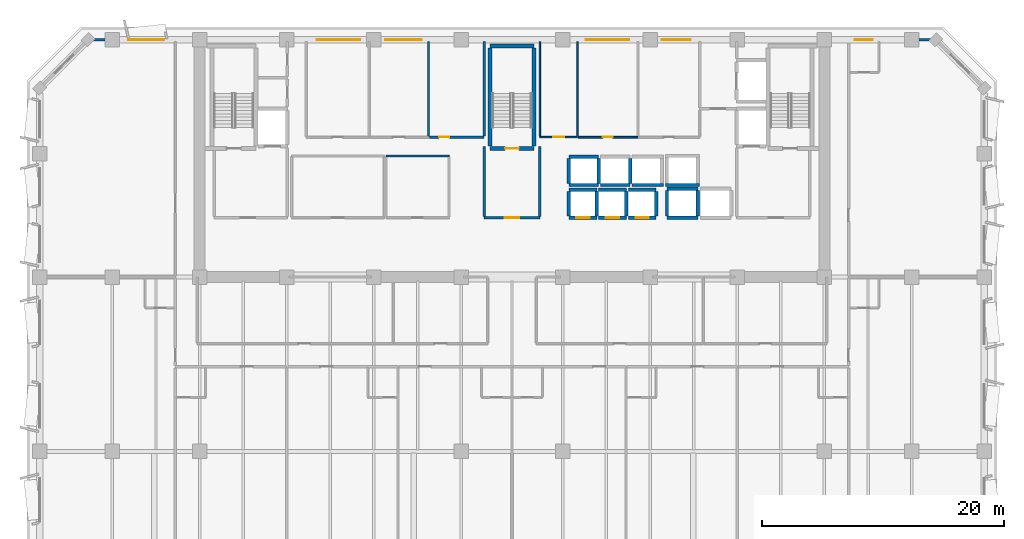
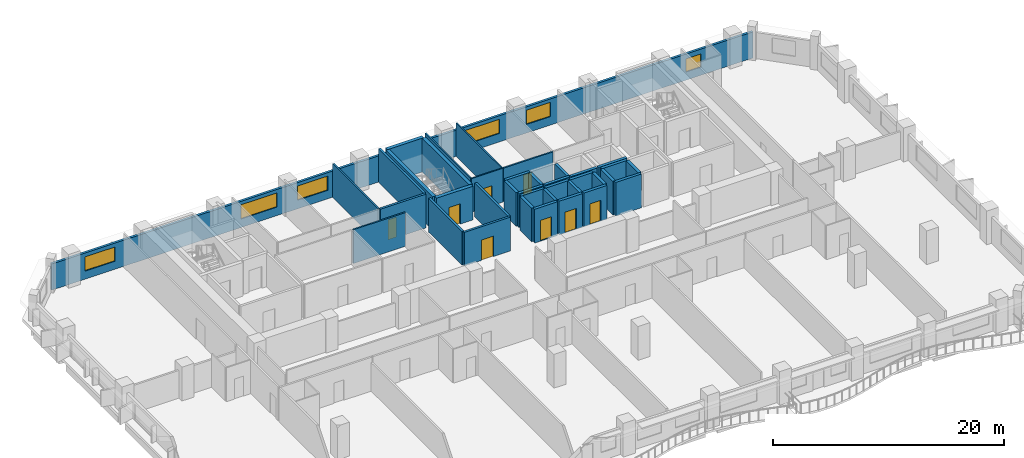
# One storey, part 7 of 14: 38 walls, 8 doors, 6 windows, 14 openings.
"""IFC4 building model written with IfcOpenShell, lengths in metres."""

from ifc_helpers import new_model, si_unit, direction, frame, frame_2d, origin, place, context, subcontext, project, spatial, rectangle, extrude, material, layer, layer_set, type_object, element, fill, save


model = new_model("IFC4")

# Units and contexts
model_context = context("Model", 3, precision=1e-05, world=origin(), true_north=direction((0.0, 1.0)))
body_context = subcontext(model_context, "Body", "Model", "MODEL_VIEW")
ifc_project = project(units=[si_unit("LENGTHUNIT", "METRE"), si_unit("AREAUNIT", "SQUARE_METRE"), si_unit("VOLUMEUNIT", "CUBIC_METRE"), si_unit("PLANEANGLEUNIT", "RADIAN"), si_unit("MASSUNIT", "GRAM", prefix="KILO")], contexts=[model_context])

# Site, building, storey
site_placement = place(None, origin())
site = spatial("IfcSite", under=ifc_project, at=site_placement, CompositionType="ELEMENT")
building_placement = place(site_placement, origin())
building = spatial("IfcBuilding", under=site, at=building_placement, Name="Kaelvorn Grand Hotel", CompositionType="ELEMENT")
storey_placement = place(building_placement, frame((0.0, 0.0, 190.14990234375)))
storey = spatial("IfcBuildingStorey", under=building, at=storey_placement, Name="L46", CompositionType="ELEMENT", Elevation=190.14990234375)

# Wall, openings, windows
ifc_material_1 = material(Name="Concrete C40/50", Category="concrete")
ifc_layer_1 = layer(ifc_material_1, 0.239990234375)
ifc_layer_set_1 = layer_set([ifc_layer_1], Name="Concrete C40/50")
wall_type_1 = type_object("IfcWallType", Name="WL-EXT-240-C40", PredefinedType="SOLIDWALL", material=ifc_layer_set_1)
wall_1_placement = place(storey_placement, frame((77.0, 49.0, 0.0), z_axis=(0.0, 0.0, 1.0), x_axis=(-1.0, 0.0, 0.0)))
wall_1 = element("IfcWall", 1, at=wall_1_placement, inside=storey, type_object=wall_type_1, Name="L46 Exterior Architectural Concrete Wall 05", PredefinedType="SOLIDWALL", context=body_context, shape_type="SweptSolid", body=[
    extrude(rectangle(XDim=70.0, YDim=0.239990234375, at=frame_2d((35.0, 0.0))), origin(), (0.0, 0.0, 1.0), 2.760009765625),
])
opening_1_placement = place(wall_1_placement, frame((63.699951171875, 0.0, 0.85009765625)))
opening_1 = element("IfcOpeningElement", 2, at=opening_1_placement, cuts=wall_1, Name="Opening W5", PredefinedType="OPENING", context=body_context, shape_type="SweptSolid", body=[
    extrude(rectangle(XDim=3.0, YDim=1.5, at=frame_2d((1.5, 0.75))), frame((0.0, 0.1298828125, 0.0), z_axis=(0.0, -1.0, 0.0), x_axis=(1.0, 0.0, 0.0)), (0.0, 0.0, 1.0), 0.260009765625),
])
opening_2_placement = place(wall_1_placement, frame((5.199951171875, 0.0, 0.85009765625)))
opening_2 = element("IfcOpeningElement", 3, at=opening_2_placement, cuts=wall_1, Name="Opening W10", PredefinedType="OPENING", context=body_context, shape_type="SweptSolid", body=[
    extrude(rectangle(XDim=1.5, YDim=1.39990234375, at=frame_2d((0.75, 0.699951171875))), frame((0.0, 0.1298828125, 0.0), z_axis=(0.0, -1.0, 0.0), x_axis=(1.0, 0.0, 0.0)), (0.0, 0.0, 1.0), 0.260009765625),
])
opening_3_placement = place(wall_1_placement, frame((47.514892578125, 0.0, 0.89990234375)))
opening_3 = element("IfcOpeningElement", 4, at=opening_3_placement, cuts=wall_1, Name="Opening W3", PredefinedType="OPENING", context=body_context, shape_type="SweptSolid", body=[
    extrude(rectangle(XDim=3.60009765625, YDim=1.5, at=frame_2d((1.800048828125, 0.75))), frame((0.0, 0.1298828125, 0.0), z_axis=(0.0, -1.0, 0.0), x_axis=(1.0, 0.0, 0.0)), (0.0, 0.0, 1.0), 0.260009765625),
])
opening_4_placement = place(wall_1_placement, frame((42.449951171875, 0.0, 0.89990234375)))
opening_4 = element("IfcOpeningElement", 5, at=opening_4_placement, cuts=wall_1, Name="Opening W5", PredefinedType="OPENING", context=body_context, shape_type="SweptSolid", body=[
    extrude(rectangle(XDim=3.0, YDim=1.5, at=frame_2d((1.5, 0.75))), frame((0.0, 0.1298828125, 0.0), z_axis=(0.0, -1.0, 0.0), x_axis=(1.0, 0.0, 0.0)), (0.0, 0.0, 1.0), 0.260009765625),
])
opening_5_placement = place(wall_1_placement, frame((25.300048828125, 0.0, 0.89990234375)))
opening_5 = element("IfcOpeningElement", 6, at=opening_5_placement, cuts=wall_1, Name="Opening W3", PredefinedType="OPENING", context=body_context, shape_type="SweptSolid", body=[
    extrude(rectangle(XDim=3.60009765625, YDim=1.5, at=frame_2d((1.800048828125, 0.75))), frame((0.0, 0.1298828125, 0.0), z_axis=(0.0, -1.0, 0.0), x_axis=(1.0, 0.0, 0.0)), (0.0, 0.0, 1.0), 0.260009765625),
])
opening_6_placement = place(wall_1_placement, frame((20.235107421875, 0.0, 0.89990234375)))
opening_6 = element("IfcOpeningElement", 7, at=opening_6_placement, cuts=wall_1, Name="Opening W6", PredefinedType="OPENING", context=body_context, shape_type="SweptSolid", body=[
    extrude(rectangle(XDim=2.39990234375, YDim=1.5, at=frame_2d((1.199951171875, 0.75))), frame((0.0, 0.1298828125, 0.0), z_axis=(0.0, -1.0, 0.0), x_axis=(1.0, 0.0, 0.0)), (0.0, 0.0, 1.0), 0.260009765625),
])
ifc_material_2 = material(Name="Laminated Low-E Glass", Category="glass")
window_type_1 = type_object("IfcWindowType", Name="WIN-COR-1500x1400", PartitioningType="SINGLE_PANEL", PredefinedType="WINDOW", material=ifc_material_2)
window_1_placement = place(opening_2_placement, origin())
window_1 = element("IfcWindow", 8, at=window_1_placement, inside=storey, type_object=window_type_1, Name="L46 North Wing Ribbon Window NW02", OverallHeight=1.39990234375, OverallWidth=1.5, PartitioningType="SINGLE_PANEL", PredefinedType="WINDOW", context=body_context, shape_type="SweptSolid", body=[
    extrude(rectangle(XDim=1.5, YDim=1.39990234375, at=frame_2d((0.75, 0.699951171875))), frame((0.0, 0.030029296875, 0.0), z_axis=(0.0, -1.0, 0.0), x_axis=(1.0, 0.0, 0.0)), (0.0, 0.0, 1.0), 0.06005859375),
])
fill(opening_2, window_1)
window_type_2 = type_object("IfcWindowType", Name="WIN-NTH-2400x1500", PartitioningType="SINGLE_PANEL", PredefinedType="WINDOW", material=ifc_material_2)
window_2_placement = place(opening_6_placement, origin())
window_2 = element("IfcWindow", 9, at=window_2_placement, inside=storey, type_object=window_type_2, Name="L46 North Core Clerestory Ribbon Window NC06", OverallHeight=1.5, OverallWidth=2.39990234375, PartitioningType="SINGLE_PANEL", PredefinedType="WINDOW", context=body_context, shape_type="SweptSolid", body=[
    extrude(rectangle(XDim=2.39990234375, YDim=1.5, at=frame_2d((1.199951171875, 0.75))), frame((0.0, 0.030029296875, 0.0), z_axis=(0.0, -1.0, 0.0), x_axis=(1.0, 0.0, 0.0)), (0.0, 0.0, 1.0), 0.06005859375),
])
fill(opening_6, window_2)
window_type_3 = type_object("IfcWindowType", Name="WIN-NTH-3000x1500", PartitioningType="SINGLE_PANEL", PredefinedType="WINDOW", material=ifc_material_2)
window_3_placement = place(opening_1_placement, origin())
window_3 = element("IfcWindow", 10, at=window_3_placement, inside=storey, type_object=window_type_3, Name="L46 North Wing Ribbon Window NW01", OverallHeight=1.5, OverallWidth=3.0, PartitioningType="SINGLE_PANEL", PredefinedType="WINDOW", context=body_context, shape_type="SweptSolid", body=[
    extrude(rectangle(XDim=3.0, YDim=1.5, at=frame_2d((1.5, 0.75))), frame((0.0, 0.030029296875, 0.0), z_axis=(0.0, -1.0, 0.0), x_axis=(1.0, 0.0, 0.0)), (0.0, 0.0, 1.0), 0.06005859375),
])
fill(opening_1, window_3)
window_4_placement = place(opening_4_placement, origin())
window_4 = element("IfcWindow", 11, at=window_4_placement, inside=storey, type_object=window_type_3, Name="L46 North Core Clerestory Ribbon Window NC04", OverallHeight=1.5, OverallWidth=3.0, PartitioningType="SINGLE_PANEL", PredefinedType="WINDOW", context=body_context, shape_type="SweptSolid", body=[
    extrude(rectangle(XDim=3.0, YDim=1.5, at=frame_2d((1.5, 0.75))), frame((0.0, 0.030029296875, 0.0), z_axis=(0.0, -1.0, 0.0), x_axis=(1.0, 0.0, 0.0)), (0.0, 0.0, 1.0), 0.06005859375),
])
fill(opening_4, window_4)
window_type_4 = type_object("IfcWindowType", Name="WIN-RIB-3600x1750", PartitioningType="SINGLE_PANEL", PredefinedType="WINDOW", material=ifc_material_2)
window_5_placement = place(opening_3_placement, origin())
window_5 = element("IfcWindow", 12, at=window_5_placement, inside=storey, type_object=window_type_4, Name="L46 North Core Clerestory Ribbon Window NC03", OverallHeight=1.5, OverallWidth=3.60009765625, PartitioningType="SINGLE_PANEL", PredefinedType="WINDOW", context=body_context, shape_type="SweptSolid", body=[
    extrude(rectangle(XDim=3.60009765625, YDim=1.5, at=frame_2d((1.800048828125, 0.75))), frame((0.0, 0.030029296875, 0.0), z_axis=(0.0, -1.0, 0.0), x_axis=(1.0, 0.0, 0.0)), (0.0, 0.0, 1.0), 0.06005859375),
])
fill(opening_3, window_5)
window_6_placement = place(opening_5_placement, origin())
window_6 = element("IfcWindow", 13, at=window_6_placement, inside=storey, type_object=window_type_4, Name="L46 North Core Clerestory Ribbon Window NC05", OverallHeight=1.5, OverallWidth=3.60009765625, PartitioningType="SINGLE_PANEL", PredefinedType="WINDOW", context=body_context, shape_type="SweptSolid", body=[
    extrude(rectangle(XDim=3.60009765625, YDim=1.5, at=frame_2d((1.800048828125, 0.75))), frame((0.0, 0.030029296875, 0.0), z_axis=(0.0, -1.0, 0.0), x_axis=(1.0, 0.0, 0.0)), (0.0, 0.0, 1.0), 0.06005859375),
])
fill(opening_5, window_6)

# Wall, opening, door
ifc_material_3 = material(Name="Moisture-Resistant Tile & Stud Board")
ifc_layer_2 = layer(ifc_material_3, 0.125)
ifc_layer_set_2 = layer_set([ifc_layer_2], Name="Moisture-Resistant Tile & Stud Board")
wall_type_2 = type_object("IfcWallType", Name="WL-PART-125-WET", PredefinedType="PARTITIONING", material=ifc_layer_set_2)
wall_2_placement = place(storey_placement, frame((44.300048828125, 40.949951171875, 0.0), z_axis=(0.0, 0.0, 1.0), x_axis=(1.0, 0.0, 0.0)))
wall_2 = element("IfcWall", 14, at=wall_2_placement, inside=storey, type_object=wall_type_2, Name="L46 Accessible WC S Partition", PredefinedType="PARTITIONING", context=body_context, shape_type="SweptSolid", body=[
    extrude(rectangle(XDim=3.099853515625, YDim=0.125, at=frame_2d((1.5498046875, 0.0))), origin(), (0.0, 0.0, 1.0), 3.56005859375),
])
opening_7_placement = place(wall_2_placement, frame((1.10009765625, 0.0, 0.0)))
opening_7 = element("IfcOpeningElement", 15, at=opening_7_placement, cuts=wall_2, Name="Opening DI4", PredefinedType="OPENING", context=body_context, shape_type="SweptSolid", body=[
    extrude(rectangle(XDim=0.89990234375, YDim=2.10009765625, at=frame_2d((0.449951171875, 1.050048828125))), frame((0.0, 0.072509765625, 0.0), z_axis=(0.0, -1.0, 0.0), x_axis=(1.0, 0.0, 0.0)), (0.0, 0.0, 1.0), 0.14501953125),
])
ifc_material_4 = material(Name="Timber Veneer Leaf", Category="wood")
door_type_1 = type_object("IfcDoorType", Name="DR-INT-BATH-900x2100", OperationType="NOTDEFINED", PredefinedType="DOOR", material=ifc_material_4)
door_1_placement = place(opening_7_placement, origin())
door_1 = element("IfcDoor", 16, at=door_1_placement, inside=storey, type_object=door_type_1, Name="L46 Accessible WC Door", OperationType="SINGLE_SWING_RIGHT", OverallHeight=2.10009765625, OverallWidth=0.89990234375, PredefinedType="DOOR", context=body_context, shape_type="SweptSolid", body=[
    extrude(rectangle(XDim=0.89990234375, YDim=2.10009765625, at=frame_2d((0.449951171875, 1.050048828125))), frame((0.0, 0.02490234375, 0.0), z_axis=(0.0, -1.0, 0.0), x_axis=(1.0, 0.0, 0.0)), (0.0, 0.0, 1.0), 0.050048828125),
])
fill(opening_7, door_1)

# Walls
for number, where, z_axis, x_axis, name in (
    (17, (44.300048828125, 41.017578125, 0.0), (0.0, 0.0, 1.0), (0.0, 1.0, 0.0), "L46 Accessible WC W Partition"),
    (18, (47.39990234375, 41.017578125, 0.0), (0.0, 0.0, 1.0), (0.0, 1.0, 0.0), "L46 Accessible WC E Partition"),
):
    element("IfcWall", number, at=place(storey_placement, frame(where, z_axis=z_axis, x_axis=x_axis)), inside=storey, type_object=wall_type_2, Name=name, PredefinedType="PARTITIONING", context=body_context, shape_type="SweptSolid", body=[
        extrude(rectangle(XDim=7.83251953125, YDim=0.125, at=frame_2d((3.916259765625, 0.0))), origin(), (0.0, 0.0, 1.0), 3.56005859375),
    ])
ifc_material_5 = material(Name="Acoustic Gypsum & Stud Partition")
ifc_layer_3 = layer(ifc_material_5, 0.14990234375)
ifc_layer_set_3 = layer_set([ifc_layer_3], Name="Acoustic Gypsum & Stud Partition")
wall_type_3 = type_object("IfcWallType", Name="WL-PART-150-EI60", PredefinedType="PARTITIONING", material=ifc_layer_set_3)
wall_3_placement = place(storey_placement, frame((31.60009765625, 39.39990234375, 0.0), z_axis=(0.0, 0.0, 1.0), x_axis=(1.0, 0.0, 0.0)))
element("IfcWall", 19, at=wall_3_placement, inside=storey, type_object=wall_type_3, Name="L46 Core Telecoms & BMS Server Room N Partition", PredefinedType="PARTITIONING", context=body_context, shape_type="SweptSolid", body=[
    extrude(rectangle(XDim=5.199951171875, YDim=0.14990234375, at=frame_2d((2.60009765625, 0.0))), origin(), (0.0, 0.0, 1.0), 3.56005859375),
])
wall_4_placement = place(storey_placement, frame((35.10009765625, 41.030029296875, 0.0), z_axis=(0.0, 0.0, 1.0), x_axis=(0.0, 1.0, 0.0)))
element("IfcWall", 20, at=wall_4_placement, inside=storey, type_object=wall_type_3, Name="L46 Room Service Servery Pantry E Partition", PredefinedType="PARTITIONING", context=body_context, shape_type="SweptSolid", body=[
    extrude(rectangle(XDim=7.820068359375, YDim=0.14990234375, at=frame_2d((3.91015625, 0.0))), origin(), (0.0, 0.0, 1.0), 3.56005859375),
])

# Wall, opening, door
wall_5_placement = place(storey_placement, frame((47.467529296875, 40.949951171875, 0.0), z_axis=(0.0, 0.0, 1.0), x_axis=(1.0, 0.0, 0.0)))
wall_5 = element("IfcWall", 21, at=wall_5_placement, inside=storey, type_object=wall_type_3, Name="L46 Valet & Luggage Store S Partition", PredefinedType="PARTITIONING", context=body_context, shape_type="SweptSolid", body=[
    extrude(rectangle(XDim=4.932373046875, YDim=0.14990234375, at=frame_2d((2.46630859375, 0.0))), origin(), (0.0, 0.0, 1.0), 3.56005859375),
])
opening_8_placement = place(wall_5_placement, frame((2.007568359375, 0.0, 0.0)))
opening_8 = element("IfcOpeningElement", 22, at=opening_8_placement, cuts=wall_5, Name="Opening DI7", PredefinedType="OPENING", context=body_context, shape_type="SweptSolid", body=[
    extrude(rectangle(XDim=0.85009765625, YDim=2.10009765625, at=frame_2d((0.425048828125, 1.050048828125))), frame((0.0, 0.0849609375, 0.0), z_axis=(0.0, -1.0, 0.0), x_axis=(1.0, 0.0, 0.0)), (0.0, 0.0, 1.0), 0.169921875),
])
ifc_material_6 = material(Name="Powder-Coated Steel Leaf", Category="steel")
door_type_2 = type_object("IfcDoorType", Name="DR-INT-RISER-850x2100", OperationType="NOTDEFINED", PredefinedType="DOOR", material=ifc_material_6)
door_2_placement = place(opening_8_placement, origin())
door_2 = element("IfcDoor", 23, at=door_2_placement, inside=storey, type_object=door_type_2, Name="L46 Valet & Luggage Store Door", OperationType="SINGLE_SWING_LEFT", OverallHeight=2.10009765625, OverallWidth=0.85009765625, PredefinedType="DOOR", context=body_context, shape_type="SweptSolid", body=[
    extrude(rectangle(XDim=0.85009765625, YDim=2.10009765625, at=frame_2d((0.425048828125, 1.050048828125))), frame((0.0, 0.02490234375, 0.0), z_axis=(0.0, -1.0, 0.0), x_axis=(1.0, 0.0, 0.0)), (0.0, 0.0, 1.0), 0.050048828125),
])
fill(opening_8, door_2)

ifc_layer_4 = layer(ifc_material_1, 0.219970703125)
ifc_layer_set_4 = layer_set([ifc_layer_4], Name="Concrete C40/50")
wall_type_4 = type_object("IfcWallType", Name="WL-PART-220-EI120", PredefinedType="PARTITIONING", material=ifc_layer_set_4)
wall_6_placement = place(storey_placement, frame((39.699951171875, 34.300048828125, 0.0), z_axis=(0.0, 0.0, 1.0), x_axis=(1.0, 0.0, 0.0)))
wall_6 = element("IfcWall", 24, at=wall_6_placement, inside=storey, type_object=wall_type_4, Name="L46 Central Stair Escape Vestibule S Partition", PredefinedType="PARTITIONING", context=body_context, shape_type="SweptSolid", body=[
    extrude(rectangle(XDim=4.60009765625, YDim=0.219970703125, at=frame_2d((2.300048828125, 0.0))), origin(), (0.0, 0.0, 1.0), 3.56005859375),
])
opening_9_placement = place(wall_6_placement, frame((1.699951171875, 0.0, 0.0)))
opening_9 = element("IfcOpeningElement", 25, at=opening_9_placement, cuts=wall_6, Name="Opening DI2", PredefinedType="OPENING", context=body_context, shape_type="SweptSolid", body=[
    extrude(rectangle(XDim=1.199951171875, YDim=2.14990234375, at=frame_2d((0.60009765625, 1.074951171875))), frame((0.0, 0.1201171875, 0.0), z_axis=(0.0, -1.0, 0.0), x_axis=(1.0, 0.0, 0.0)), (0.0, 0.0, 1.0), 0.239990234375),
])
ifc_material_7 = material(Name="Timber Veneer Fire Leaf", Category="wood")
door_type_3 = type_object("IfcDoorType", Name="DR-INT-FFLOB-1200x2150", OperationType="NOTDEFINED", PredefinedType="DOOR", material=ifc_material_7)
door_3_placement = place(opening_9_placement, origin())
door_3 = element("IfcDoor", 26, at=door_3_placement, inside=storey, type_object=door_type_3, Name="L46 Central Stair Escape Vestibule Door", OperationType="SINGLE_SWING_LEFT", OverallHeight=2.14990234375, OverallWidth=1.199951171875, PredefinedType="DOOR", context=body_context, shape_type="SweptSolid", body=[
    extrude(rectangle(XDim=1.199951171875, YDim=2.14990234375, at=frame_2d((0.60009765625, 1.074951171875))), frame((0.0, 0.02490234375, 0.0), z_axis=(0.0, -1.0, 0.0), x_axis=(1.0, 0.0, 0.0)), (0.0, 0.0, 1.0), 0.050048828125),
])
fill(opening_9, door_3)

# Walls
for number, where, z_axis, x_axis, name in (
    (27, (39.699951171875, 34.4150390625, 0.0), (0.0, 0.0, 1.0), (0.0, 1.0, 0.0), "L46 Central Stair Escape Vestibule W Partition"),
    (28, (44.300048828125, 34.4150390625, 0.0), (0.0, 0.0, 1.0), (0.0, 1.0, 0.0), "L46 Central Stair Escape Vestibule E Partition"),
):
    element("IfcWall", number, at=place(storey_placement, frame(where, z_axis=z_axis, x_axis=x_axis)), inside=storey, type_object=wall_type_4, Name=name, PredefinedType="PARTITIONING", context=body_context, shape_type="SweptSolid", body=[
        extrude(rectangle(XDim=5.784912109375, YDim=0.219970703125, at=frame_2d((2.892578125, 0.0))), origin(), (0.0, 0.0, 1.0), 3.56005859375),
    ])

# Wall, opening, door
wall_7_placement = place(storey_placement, frame((35.179931640625, 40.949951171875, 0.0), z_axis=(0.0, 0.0, 1.0), x_axis=(1.0, 0.0, 0.0)))
wall_7 = element("IfcWall", 29, at=wall_7_placement, inside=storey, type_object=wall_type_4, Name="L46 Floor Electrical Switchroom S Partition", PredefinedType="PARTITIONING", context=body_context, shape_type="SweptSolid", body=[
    extrude(rectangle(XDim=4.52001953125, YDim=0.219970703125, at=frame_2d((2.260009765625, 0.0))), origin(), (0.0, 0.0, 1.0), 3.56005859375),
])
opening_10_placement = place(wall_7_placement, frame((0.794921875, 0.0, 0.0)))
opening_10 = element("IfcOpeningElement", 30, at=opening_10_placement, cuts=wall_7, Name="Opening DI7", PredefinedType="OPENING", context=body_context, shape_type="SweptSolid", body=[
    extrude(rectangle(XDim=0.85009765625, YDim=2.10009765625, at=frame_2d((0.425048828125, 1.050048828125))), frame((0.0, 0.1201171875, 0.0), z_axis=(0.0, -1.0, 0.0), x_axis=(1.0, 0.0, 0.0)), (0.0, 0.0, 1.0), 0.239990234375),
])
door_4_placement = place(opening_10_placement, origin())
door_4 = element("IfcDoor", 31, at=door_4_placement, inside=storey, type_object=door_type_2, Name="L46 Floor Electrical Switchroom Door", OperationType="SINGLE_SWING_LEFT", OverallHeight=2.10009765625, OverallWidth=0.85009765625, PredefinedType="DOOR", context=body_context, shape_type="SweptSolid", body=[
    extrude(rectangle(XDim=0.85009765625, YDim=2.10009765625, at=frame_2d((0.425048828125, 1.050048828125))), frame((0.0, 0.02490234375, 0.0), z_axis=(0.0, -1.0, 0.0), x_axis=(1.0, 0.0, 0.0)), (0.0, 0.0, 1.0), 0.050048828125),
])
fill(opening_10, door_4)

# Wall
wall_8_placement = place(storey_placement, frame((39.699951171875, 41.06494140625, 0.0), z_axis=(0.0, 0.0, 1.0), x_axis=(0.0, 1.0, 0.0)))
element("IfcWall", 32, at=wall_8_placement, inside=storey, type_object=wall_type_4, Name="L46 Floor Electrical Switchroom E Partition", PredefinedType="PARTITIONING", context=body_context, shape_type="SweptSolid", body=[
    extrude(rectangle(XDim=7.78515625, YDim=0.219970703125, at=frame_2d((3.892578125, 0.0))), origin(), (0.0, 0.0, 1.0), 3.56005859375),
])

# Wall, opening, door
ifc_material_8 = material(Name="Concrete C50/60", Category="concrete")
ifc_layer_5 = layer(ifc_material_8, 0.280029296875)
ifc_layer_set_5 = layer_set([ifc_layer_5], Name="Concrete C50/60")
wall_type_5 = type_object("IfcWallType", Name="WL-SHAFT-280-C50", PredefinedType="SHEAR", material=ifc_layer_set_5)
wall_9_placement = place(storey_placement, frame((46.699951171875, 34.300048828125, 0.0), z_axis=(0.0, 0.0, 1.0), x_axis=(1.0, 0.0, 0.0)))
wall_9 = element("IfcWall", 33, at=wall_9_placement, inside=storey, type_object=wall_type_5, Name="L46 Lift PL-M1 Shaft South Wall", PredefinedType="SHEAR", context=body_context, shape_type="SweptSolid", body=[
    extrude(rectangle(XDim=2.300048828125, YDim=0.280029296875, at=frame_2d((1.14990234375, 0.0))), origin(), (0.0, 0.0, 1.0), 3.56005859375),
])
opening_11_placement = place(wall_9_placement, frame((0.60009765625, 0.0, 0.0)))
opening_11 = element("IfcOpeningElement", 34, at=opening_11_placement, cuts=wall_9, Name="Opening LD-PL-M1", PredefinedType="OPENING", context=body_context, shape_type="SweptSolid", body=[
    extrude(rectangle(XDim=1.10009765625, YDim=2.199951171875, at=frame_2d((0.550048828125, 1.10009765625))), frame((0.0, 0.14990234375, 0.0), z_axis=(0.0, -1.0, 0.0), x_axis=(1.0, 0.0, 0.0)), (0.0, 0.0, 1.0), 0.300048828125),
])
ifc_material_9 = material(Name="Stainless Steel", Category="steel")
door_type_4 = type_object("IfcDoorType", Name="DR-LIFT-PASS-1100x2200", OperationType="DOUBLE_DOOR_SLIDING", PredefinedType="DOOR", material=ifc_material_9)
door_5_placement = place(opening_11_placement, origin())
door_5 = element("IfcDoor", 35, at=door_5_placement, inside=storey, type_object=door_type_4, Name="L46 Lift PL-M1 Sliding Landing Door LD-PL-M1", OperationType="DOUBLE_DOOR_SLIDING", OverallHeight=2.199951171875, OverallWidth=1.10009765625, PredefinedType="DOOR", context=body_context, shape_type="SweptSolid", body=[
    extrude(rectangle(XDim=1.10009765625, YDim=2.199951171875, at=frame_2d((0.550048828125, 1.10009765625))), frame((0.0, 0.02490234375, 0.0), z_axis=(0.0, -1.0, 0.0), x_axis=(1.0, 0.0, 0.0)), (0.0, 0.0, 1.0), 0.050048828125),
])
fill(opening_11, door_5)

# Walls
wall_10_placement = place(storey_placement, frame((46.699951171875, 36.60009765625, 0.0), z_axis=(0.0, 0.0, 1.0), x_axis=(1.0, 0.0, 0.0)))
element("IfcWall", 36, at=wall_10_placement, inside=storey, type_object=wall_type_5, Name="L46 Lift PL-M1 Shaft North Wall", PredefinedType="SHEAR", context=body_context, shape_type="SweptSolid", body=[
    extrude(rectangle(XDim=2.300048828125, YDim=0.280029296875, at=frame_2d((1.14990234375, 0.0))), origin(), (0.0, 0.0, 1.0), 3.56005859375),
])
for number, where, z_axis, x_axis, name in (
    (37, (46.699951171875, 34.445068359375, 0.0), (0.0, 0.0, 1.0), (0.0, 1.0, 0.0), "L46 Lift PL-M1 Shaft West Wall"),
    (38, (49.0, 34.445068359375, 0.0), (0.0, 0.0, 1.0), (0.0, 1.0, 0.0), "L46 Lift PL-M1 Shaft East Wall"),
):
    element("IfcWall", number, at=place(storey_placement, frame(where, z_axis=z_axis, x_axis=x_axis)), inside=storey, type_object=wall_type_5, Name=name, PredefinedType="SHEAR", context=body_context, shape_type="SweptSolid", body=[
        extrude(rectangle(XDim=2.010009765625, YDim=0.280029296875, at=frame_2d((1.0048828125, 0.0))), origin(), (0.0, 0.0, 1.0), 3.56005859375),
    ])

# Wall, opening, door
wall_11_placement = place(storey_placement, frame((49.14990234375, 34.300048828125, 0.0), z_axis=(0.0, 0.0, 1.0), x_axis=(1.0, 0.0, 0.0)))
wall_11 = element("IfcWall", 39, at=wall_11_placement, inside=storey, type_object=wall_type_5, Name="L46 Lift PL-M2 Shaft South Wall", PredefinedType="SHEAR", context=body_context, shape_type="SweptSolid", body=[
    extrude(rectangle(XDim=2.300048828125, YDim=0.280029296875, at=frame_2d((1.14990234375, 0.0))), origin(), (0.0, 0.0, 1.0), 3.56005859375),
])
opening_12_placement = place(wall_11_placement, frame((0.60009765625, 0.0, 0.0)))
opening_12 = element("IfcOpeningElement", 40, at=opening_12_placement, cuts=wall_11, Name="Opening LD-PL-M2", PredefinedType="OPENING", context=body_context, shape_type="SweptSolid", body=[
    extrude(rectangle(XDim=1.10009765625, YDim=2.199951171875, at=frame_2d((0.550048828125, 1.10009765625))), frame((0.0, 0.14990234375, 0.0), z_axis=(0.0, -1.0, 0.0), x_axis=(1.0, 0.0, 0.0)), (0.0, 0.0, 1.0), 0.300048828125),
])
door_6_placement = place(opening_12_placement, origin())
door_6 = element("IfcDoor", 41, at=door_6_placement, inside=storey, type_object=door_type_4, Name="L46 Lift PL-M2 Sliding Landing Door LD-PL-M2", OperationType="DOUBLE_DOOR_SLIDING", OverallHeight=2.199951171875, OverallWidth=1.10009765625, PredefinedType="DOOR", context=body_context, shape_type="SweptSolid", body=[
    extrude(rectangle(XDim=1.10009765625, YDim=2.199951171875, at=frame_2d((0.550048828125, 1.10009765625))), frame((0.0, 0.02490234375, 0.0), z_axis=(0.0, -1.0, 0.0), x_axis=(1.0, 0.0, 0.0)), (0.0, 0.0, 1.0), 0.050048828125),
])
fill(opening_12, door_6)

# Walls
wall_12_placement = place(storey_placement, frame((49.14990234375, 36.60009765625, 0.0), z_axis=(0.0, 0.0, 1.0), x_axis=(1.0, 0.0, 0.0)))
element("IfcWall", 42, at=wall_12_placement, inside=storey, type_object=wall_type_5, Name="L46 Lift PL-M2 Shaft North Wall", PredefinedType="SHEAR", context=body_context, shape_type="SweptSolid", body=[
    extrude(rectangle(XDim=2.300048828125, YDim=0.280029296875, at=frame_2d((1.14990234375, 0.0))), origin(), (0.0, 0.0, 1.0), 3.56005859375),
])
wall_13_placement = place(storey_placement, frame((51.449951171875, 34.445068359375, 0.0), z_axis=(0.0, 0.0, 1.0), x_axis=(0.0, 1.0, 0.0)))
element("IfcWall", 43, at=wall_13_placement, inside=storey, type_object=wall_type_5, Name="L46 Lift PL-M2 Shaft East Wall", PredefinedType="SHEAR", context=body_context, shape_type="SweptSolid", body=[
    extrude(rectangle(XDim=2.010009765625, YDim=0.280029296875, at=frame_2d((1.0048828125, 0.0))), origin(), (0.0, 0.0, 1.0), 3.56005859375),
])

# Wall, opening, door
wall_14_placement = place(storey_placement, frame((51.60009765625, 34.300048828125, 0.0), z_axis=(0.0, 0.0, 1.0), x_axis=(1.0, 0.0, 0.0)))
wall_14 = element("IfcWall", 44, at=wall_14_placement, inside=storey, type_object=wall_type_5, Name="L46 Lift PL-M3 Shaft South Wall", PredefinedType="SHEAR", context=body_context, shape_type="SweptSolid", body=[
    extrude(rectangle(XDim=2.2998046875, YDim=0.280029296875, at=frame_2d((1.14990234375, 0.0))), origin(), (0.0, 0.0, 1.0), 3.56005859375),
])
opening_13_placement = place(wall_14_placement, frame((0.60009765625, 0.0, 0.0)))
opening_13 = element("IfcOpeningElement", 45, at=opening_13_placement, cuts=wall_14, Name="Opening LD-PL-M3", PredefinedType="OPENING", context=body_context, shape_type="SweptSolid", body=[
    extrude(rectangle(XDim=1.10009765625, YDim=2.199951171875, at=frame_2d((0.550048828125, 1.10009765625))), frame((0.0, 0.14990234375, 0.0), z_axis=(0.0, -1.0, 0.0), x_axis=(1.0, 0.0, 0.0)), (0.0, 0.0, 1.0), 0.300048828125),
])
door_7_placement = place(opening_13_placement, origin())
door_7 = element("IfcDoor", 46, at=door_7_placement, inside=storey, type_object=door_type_4, Name="L46 Lift PL-M3 Sliding Landing Door LD-PL-M3", OperationType="DOUBLE_DOOR_SLIDING", OverallHeight=2.199951171875, OverallWidth=1.10009765625, PredefinedType="DOOR", context=body_context, shape_type="SweptSolid", body=[
    extrude(rectangle(XDim=1.10009765625, YDim=2.199951171875, at=frame_2d((0.550048828125, 1.10009765625))), frame((0.0, 0.02490234375, 0.0), z_axis=(0.0, -1.0, 0.0), x_axis=(1.0, 0.0, 0.0)), (0.0, 0.0, 1.0), 0.050048828125),
])
fill(opening_13, door_7)

# Walls
wall_15_placement = place(storey_placement, frame((51.60009765625, 36.60009765625, 0.0), z_axis=(0.0, 0.0, 1.0), x_axis=(1.0, 0.0, 0.0)))
element("IfcWall", 47, at=wall_15_placement, inside=storey, type_object=wall_type_5, Name="L46 Lift PL-M3 Shaft North Wall", PredefinedType="SHEAR", context=body_context, shape_type="SweptSolid", body=[
    extrude(rectangle(XDim=2.2998046875, YDim=0.280029296875, at=frame_2d((1.14990234375, 0.0))), origin(), (0.0, 0.0, 1.0), 3.56005859375),
])
wall_16_placement = place(storey_placement, frame((53.89990234375, 34.445068359375, 0.0), z_axis=(0.0, 0.0, 1.0), x_axis=(0.0, 1.0, 0.0)))
element("IfcWall", 48, at=wall_16_placement, inside=storey, type_object=wall_type_5, Name="L46 Lift PL-M3 Shaft East Wall", PredefinedType="SHEAR", context=body_context, shape_type="SweptSolid", body=[
    extrude(rectangle(XDim=2.010009765625, YDim=0.280029296875, at=frame_2d((1.0048828125, 0.0))), origin(), (0.0, 0.0, 1.0), 3.56005859375),
])
for number, where, z_axis, x_axis, name in (
    (49, (46.699951171875, 37.0, 0.0), (0.0, 0.0, 1.0), (1.0, 0.0, 0.0), "L46 Lift SL-1 Shaft South Wall"),
    (50, (46.699951171875, 39.35009765625, 0.0), (0.0, 0.0, 1.0), (1.0, 0.0, 0.0), "L46 Lift SL-1 Shaft North Wall"),
):
    element("IfcWall", number, at=place(storey_placement, frame(where, z_axis=z_axis, x_axis=x_axis)), inside=storey, type_object=wall_type_5, Name=name, PredefinedType="SHEAR", context=body_context, shape_type="SweptSolid", body=[
        extrude(rectangle(XDim=2.449951171875, YDim=0.280029296875, at=frame_2d((1.22509765625, 0.0))), origin(), (0.0, 0.0, 1.0), 3.56005859375),
    ])
for number, where, z_axis, x_axis, name in (
    (51, (46.699951171875, 37.14501953125, 0.0), (0.0, 0.0, 1.0), (0.0, 1.0, 0.0), "L46 Lift SL-1 Shaft West Wall"),
    (52, (49.14990234375, 37.14501953125, 0.0), (0.0, 0.0, 1.0), (0.0, 1.0, 0.0), "L46 Lift SL-1 Shaft East Wall"),
):
    element("IfcWall", number, at=place(storey_placement, frame(where, z_axis=z_axis, x_axis=x_axis)), inside=storey, type_object=wall_type_5, Name=name, PredefinedType="SHEAR", context=body_context, shape_type="SweptSolid", body=[
        extrude(rectangle(XDim=2.06005859375, YDim=0.280029296875, at=frame_2d((1.030029296875, 0.0))), origin(), (0.0, 0.0, 1.0), 3.56005859375),
    ])
wall_17_placement = place(storey_placement, frame((49.300048828125, 37.0, 0.0), z_axis=(0.0, 0.0, 1.0), x_axis=(1.0, 0.0, 0.0)))
element("IfcWall", 53, at=wall_17_placement, inside=storey, type_object=wall_type_5, Name="L46 Lift SL-2 Shaft South Wall", PredefinedType="SHEAR", context=body_context, shape_type="SweptSolid", body=[
    extrude(rectangle(XDim=2.449951171875, YDim=0.280029296875, at=frame_2d((1.22509765625, 0.0))), origin(), (0.0, 0.0, 1.0), 3.56005859375),
])
wall_18_placement = place(storey_placement, frame((51.75, 37.14501953125, 0.0), z_axis=(0.0, 0.0, 1.0), x_axis=(0.0, 1.0, 0.0)))
element("IfcWall", 54, at=wall_18_placement, inside=storey, type_object=wall_type_5, Name="L46 Lift SL-2 Shaft East Wall", PredefinedType="SHEAR", context=body_context, shape_type="SweptSolid", body=[
    extrude(rectangle(XDim=2.06005859375, YDim=0.280029296875, at=frame_2d((1.030029296875, 0.0))), origin(), (0.0, 0.0, 1.0), 3.56005859375),
])
wall_19_placement = place(storey_placement, frame((51.89990234375, 37.0, 0.0), z_axis=(0.0, 0.0, 1.0), x_axis=(1.0, 0.0, 0.0)))
element("IfcWall", 55, at=wall_19_placement, inside=storey, type_object=wall_type_5, Name="L46 Lift SL-3 Shaft South Wall", PredefinedType="SHEAR", context=body_context, shape_type="SweptSolid", body=[
    extrude(rectangle(XDim=2.590087890625, YDim=0.280029296875, at=frame_2d((1.294921875, 0.0))), origin(), (0.0, 0.0, 1.0), 3.56005859375),
])
for number, where, z_axis, x_axis, name in (
    (56, (54.800048828125, 34.300048828125, 0.0), (0.0, 0.0, 1.0), (1.0, 0.0, 0.0), "L46 Lift OL-1 Shaft South Wall"),
    (57, (54.800048828125, 36.699951171875, 0.0), (0.0, 0.0, 1.0), (1.0, 0.0, 0.0), "L46 Lift OL-1 Shaft North Wall"),
):
    element("IfcWall", number, at=place(storey_placement, frame(where, z_axis=z_axis, x_axis=x_axis)), inside=storey, type_object=wall_type_5, Name=name, PredefinedType="SHEAR", context=body_context, shape_type="SweptSolid", body=[
        extrude(rectangle(XDim=2.550048828125, YDim=0.280029296875, at=frame_2d((1.27490234375, 0.0))), origin(), (0.0, 0.0, 1.0), 3.56005859375),
    ])
for number, where, z_axis, x_axis, name in (
    (58, (54.800048828125, 34.445068359375, 0.0), (0.0, 0.0, 1.0), (0.0, 1.0, 0.0), "L46 Lift OL-1 Shaft West Wall"),
    (59, (57.35009765625, 34.445068359375, 0.0), (0.0, 0.0, 1.0), (0.0, 1.0, 0.0), "L46 Lift OL-1 Shaft East Wall"),
):
    element("IfcWall", number, at=place(storey_placement, frame(where, z_axis=z_axis, x_axis=x_axis)), inside=storey, type_object=wall_type_5, Name=name, PredefinedType="SHEAR", context=body_context, shape_type="SweptSolid", body=[
        extrude(rectangle(XDim=2.10986328125, YDim=0.280029296875, at=frame_2d((1.054931640625, 0.0))), origin(), (0.0, 0.0, 1.0), 3.56005859375),
    ])
wall_20_placement = place(storey_placement, frame((54.659912109375, 37.0, 0.0), z_axis=(0.0, 0.0, 1.0), x_axis=(1.0, 0.0, 0.0)))
element("IfcWall", 60, at=wall_20_placement, inside=storey, type_object=wall_type_5, Name="L46 Lift OL-3 Shaft South Wall", PredefinedType="SHEAR", context=body_context, shape_type="SweptSolid", body=[
    extrude(rectangle(XDim=2.830078125, YDim=0.280029296875, at=frame_2d((1.4150390625, 0.0))), origin(), (0.0, 0.0, 1.0), 3.56005859375),
])

# Wall, opening, door
ifc_material_10 = material(Name="Concrete C60/75", Category="concrete")
ifc_layer_6 = layer(ifc_material_10, 0.35009765625)
ifc_layer_set_6 = layer_set([ifc_layer_6], Name="Concrete C60/75")
wall_type_6 = type_object("IfcWallType", Name="WL-SHAFT-350-C60", PredefinedType="SHEAR", material=ifc_layer_set_6)
wall_21_placement = place(storey_placement, frame((40.18505859375, 40.02490234375, 0.0), z_axis=(0.0, 0.0, 1.0), x_axis=(1.0, 0.0, 0.0)))
wall_21 = element("IfcWall", 61, at=wall_21_placement, inside=storey, type_object=wall_type_6, Name="L46 ST2 Stair Shaft South Wall", PredefinedType="SHEAR", context=body_context, shape_type="SweptSolid", body=[
    extrude(rectangle(XDim=3.6298828125, YDim=0.35009765625, at=frame_2d((1.81494140625, 0.0))), origin(), (0.0, 0.0, 1.0), 3.56005859375),
])
opening_14_placement = place(wall_21_placement, frame((1.239990234375, 0.0, 0.0)))
opening_14 = element("IfcOpeningElement", 62, at=opening_14_placement, cuts=wall_21, Name="Opening DI1", PredefinedType="OPENING", context=body_context, shape_type="SweptSolid", body=[
    extrude(rectangle(XDim=1.14990234375, YDim=2.14990234375, at=frame_2d((0.574951171875, 1.074951171875))), frame((0.0, 0.18505859375, 0.0), z_axis=(0.0, -1.0, 0.0), x_axis=(1.0, 0.0, 0.0)), (0.0, 0.0, 1.0), 0.3701171875),
])
door_type_5 = type_object("IfcDoorType", Name="DR-INT-STAIR-1150x2150", OperationType="NOTDEFINED", PredefinedType="DOOR", material=ifc_material_7)
door_8_placement = place(opening_14_placement, origin())
door_8 = element("IfcDoor", 63, at=door_8_placement, inside=storey, type_object=door_type_5, Name="L46 ST2 Exit Stair Fire Door", OperationType="SINGLE_SWING_LEFT", OverallHeight=2.14990234375, OverallWidth=1.14990234375, PredefinedType="DOOR", context=body_context, shape_type="SweptSolid", body=[
    extrude(rectangle(XDim=1.14990234375, YDim=2.14990234375, at=frame_2d((0.574951171875, 1.074951171875))), frame((0.0, 0.02490234375, 0.0), z_axis=(0.0, -1.0, 0.0), x_axis=(1.0, 0.0, 0.0)), (0.0, 0.0, 1.0), 0.050048828125),
])
fill(opening_14, door_8)

# Walls
wall_22_placement = place(storey_placement, frame((40.18505859375, 48.47509765625, 0.0), z_axis=(0.0, 0.0, 1.0), x_axis=(1.0, 0.0, 0.0)))
element("IfcWall", 64, at=wall_22_placement, inside=storey, type_object=wall_type_6, Name="L46 ST2 Stair Shaft North Wall", PredefinedType="SHEAR", context=body_context, shape_type="SweptSolid", body=[
    extrude(rectangle(XDim=3.6298828125, YDim=0.35009765625, at=frame_2d((1.81494140625, 0.0))), origin(), (0.0, 0.0, 1.0), 3.56005859375),
])
for number, where, z_axis, x_axis, name in (
    (65, (40.18505859375, 40.205078125, 0.0), (0.0, 0.0, 1.0), (0.0, 1.0, 0.0), "L46 ST2 Stair Shaft West Wall"),
    (66, (43.81494140625, 40.205078125, 0.0), (0.0, 0.0, 1.0), (0.0, 1.0, 0.0), "L46 ST2 Stair Shaft East Wall"),
):
    element("IfcWall", number, at=place(storey_placement, frame(where, z_axis=z_axis, x_axis=x_axis)), inside=storey, type_object=wall_type_6, Name=name, PredefinedType="SHEAR", context=body_context, shape_type="SweptSolid", body=[
        extrude(rectangle(XDim=8.08984375, YDim=0.35009765625, at=frame_2d((4.044921875, 0.0))), origin(), (0.0, 0.0, 1.0), 3.56005859375),
    ])

save(model, "model.ifc")
